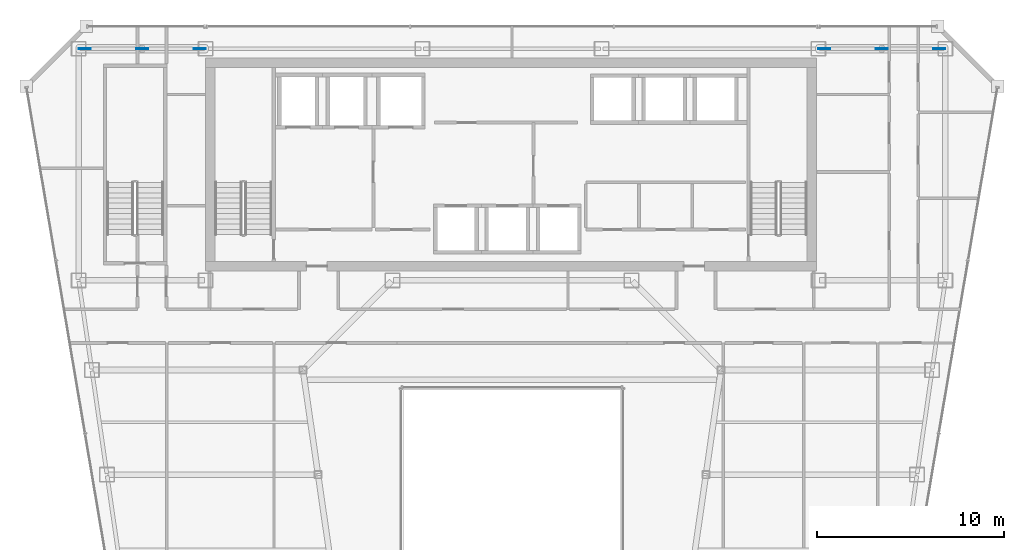
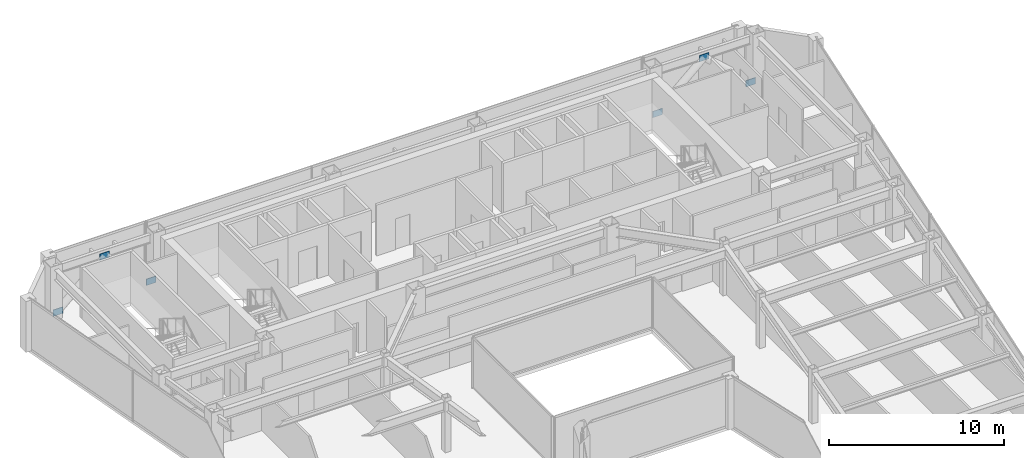
# One storey, part 29 of 36: 6 plates.
"""IFC4 building model written with IfcOpenShell, lengths in metres."""

from ifc_helpers import new_model, si_unit, direction, frame, origin, origin_2d, place, context, subcontext, project, spatial, rectangle, extrude, material, layer, layer_set, type_object, element, save


model = new_model("IFC4")

# Units and contexts
model_context = context("Model", 3, precision=1e-05, world=origin(), true_north=direction((0.0, 1.0)))
body_context = subcontext(model_context, "Body", "Model", "MODEL_VIEW")
ifc_project = project(units=[si_unit("LENGTHUNIT", "METRE"), si_unit("AREAUNIT", "SQUARE_METRE"), si_unit("VOLUMEUNIT", "CUBIC_METRE"), si_unit("PLANEANGLEUNIT", "RADIAN"), si_unit("MASSUNIT", "GRAM", prefix="KILO")], contexts=[model_context])

# Site, building, storey
site_placement = place(None, origin())
site = spatial("IfcSite", under=ifc_project, at=site_placement, CompositionType="ELEMENT")
building_placement = place(site_placement, origin())
building = spatial("IfcBuilding", under=site, at=building_placement, Name="Saevonmaru Cultural Tower", CompositionType="ELEMENT")
storey_placement = place(building_placement, frame((0.0, 0.0, 205.60009765625)))
storey = spatial("IfcBuildingStorey", under=building, at=storey_placement, Name="L47", CompositionType="ELEMENT", Elevation=205.60009765625)

# Plates
ifc_material = material(Name="Steel HSA600 (600 MPa)", Category="steel")
ifc_layer = layer(ifc_material, 0.0400390625, Name="Steel HSA600 (600 MPa)")
ifc_layer_set = layer_set([ifc_layer], Name="Steel HSA600 (600 MPa)")
plate_type = type_object("IfcPlateType", Name="PL-GUSSET-EXT", PredefinedType="USERDEFINED", material=ifc_layer_set)
for number, where, z_axis, x_axis, name in (
    (1, (10.199951171875, 54.800048828125, 2.849853515625), (0.0, 0.0, 1.0), (1.0, 0.0, 0.0), "L47 Perimeter Tube Gusset Plate"),
    (2, (7.1201171875, 54.800048828125, 0.02001953125), (0.0, 0.0, 1.0), (1.0, 0.0, 0.0), "L47 Perimeter Tube Gusset Plate"),
    (3, (13.280029296875, 54.800048828125, 0.02001953125), (0.0, 0.0, 1.0), (1.0, 0.0, 0.0), "L47 Perimeter Tube Gusset Plate"),
    (4, (49.800048828125, 54.800048828125, 2.849853515625), (0.0, 0.0, 1.0), (1.0, 0.0, 0.0), "L47 Perimeter Tube Gusset Plate"),
    (5, (46.719970703125, 54.800048828125, 0.02001953125), (0.0, 0.0, 1.0), (1.0, 0.0, 0.0), "L47 Perimeter Tube Gusset Plate"),
    (6, (52.8798828125, 54.800048828125, 0.02001953125), (0.0, 0.0, 1.0), (1.0, 0.0, 0.0), "L47 Perimeter Tube Gusset Plate"),
):
    element("IfcPlate", number, at=place(storey_placement, frame(where, z_axis=z_axis, x_axis=x_axis)), inside=storey, type_object=plate_type, Name=name, ObjectType="GUSSET_PLATE", PredefinedType="USERDEFINED", context=body_context, shape_type="SweptSolid", body=[
        extrude(rectangle(XDim=0.639892578125, YDim=0.0400390625, at=origin_2d()), origin(), (0.0, 0.0, 1.0), 0.43994140625),
    ])

save(model, "model.ifc")
